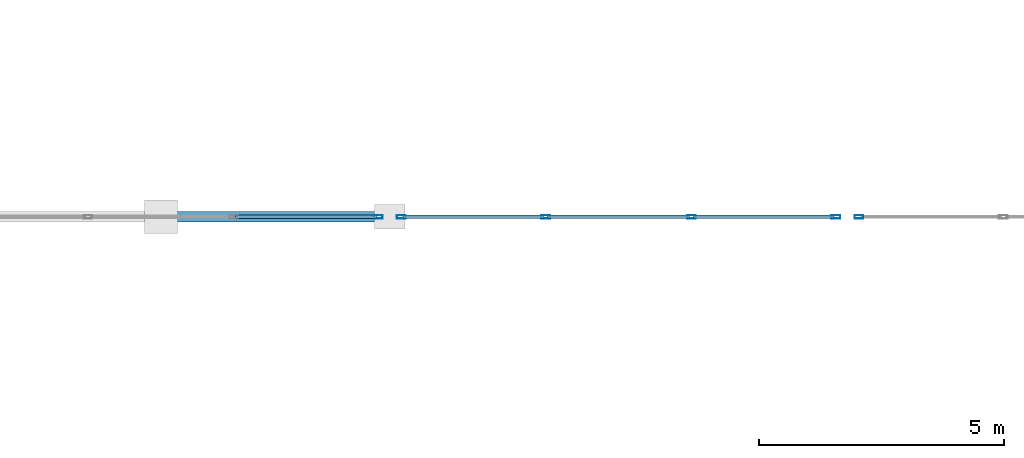
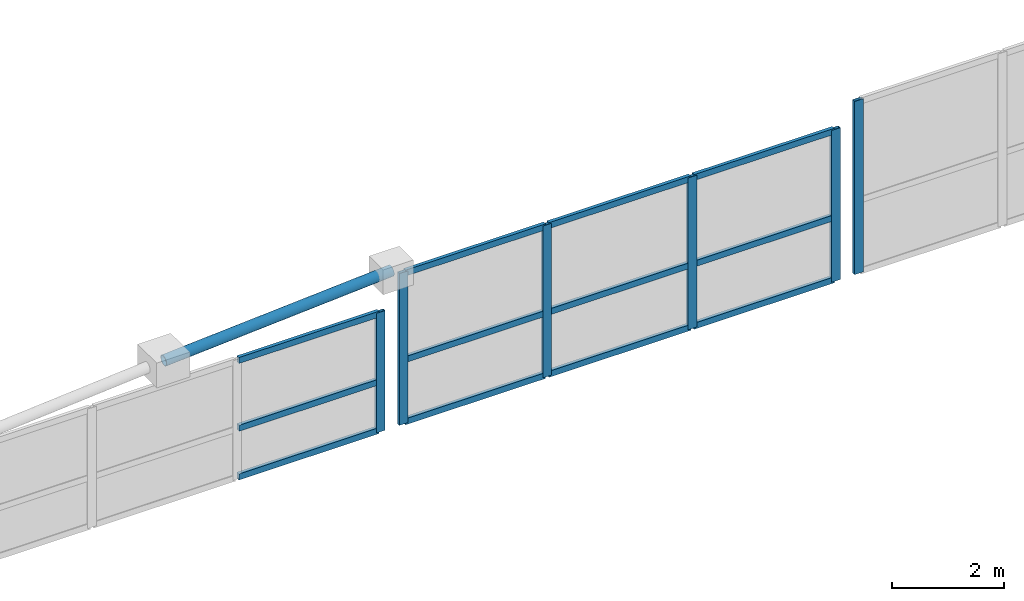
# One storey, part 28 of 60: 19 members, 3 elements without a shape of their own.
"""IFC4 building model written with IfcOpenShell, lengths in metres."""

from ifc_helpers import new_model, si_unit, direction, frame, origin, origin_2d, place, context, subcontext, project, spatial, hollow_rectangle, hollow_circle, extrude, material, layer, layer_set, material_profile, profile_set, type_object, element, aggregate, save


model = new_model("IFC4")

# Units and contexts
model_context = context("Model", 3, precision=1e-05, world=origin(), true_north=direction((0.0, 1.0)))
body_context = subcontext(model_context, "Body", "Model", "MODEL_VIEW")
ifc_project = project(units=[si_unit("LENGTHUNIT", "METRE"), si_unit("AREAUNIT", "SQUARE_METRE"), si_unit("VOLUMEUNIT", "CUBIC_METRE"), si_unit("PLANEANGLEUNIT", "RADIAN"), si_unit("MASSUNIT", "GRAM", prefix="KILO")], contexts=[model_context])

# Site, building, storey
site_placement = place(None, origin())
site = spatial("IfcSite", under=ifc_project, at=site_placement, CompositionType="ELEMENT")
building_placement = place(site_placement, origin())
building = spatial("IfcBuilding", under=site, at=building_placement, Name="Quillay Park Conservatory", CompositionType="ELEMENT")
storey_placement = place(building_placement, frame((0.0, 0.0, 9.89990234375)))
storey = spatial("IfcBuildingStorey", under=building, at=storey_placement, Name="L02", CompositionType="ELEMENT", Elevation=9.89990234375)

# Curtain wall, member
ifc_material_1 = material(Name="Thermally Broken Anodised Aluminium 6063-T6", Category="aluminium")
ifc_layer = layer(ifc_material_1, 0.219970703125)
ifc_layer_set = layer_set([ifc_layer], Name="UNITISED CURTAIN WALL CONSERVATORY (Thermally Broken Anodised Aluminium 6063-T6)")
curtain_wall_type = type_object("IfcCurtainWallType", Name="UNITISED CURTAIN WALL CONSERVATORY", PredefinedType="USERDEFINED", material=ifc_layer_set)
curtain_wall_1_placement = place(storey_placement, origin())
curtain_wall_1 = element("IfcCurtainWall", 1, at=curtain_wall_1_placement, inside=storey, type_object=curtain_wall_type, Name="L02 Unitised Curtain Wall 188", ObjectType="UNITISED CURTAIN WALL", PredefinedType="USERDEFINED")
ifc_material_2 = material(Name="Thermally Broken Anodised Aluminium 6063-T6", Category="aluminium")
ifc_material_profile_1 = material_profile(ifc_material_2, hollow_rectangle(XDim=0.070068359375, YDim=0.179931640625, WallThickness=0.00390625, at=origin_2d()), Name="AL70x180x4")
ifc_profile_set_1 = profile_set([ifc_material_profile_1], Name="Thermally Broken Anodised Aluminium 6063-T6")
member_type_1 = type_object("IfcMemberType", Name="CURTAIN WALL MULLION 70 X180", PredefinedType="MULLION", material=ifc_profile_set_1)
member_1_placement = place(storey_placement, frame((49.1240234375, 85.550048828125, 0.7001953125), z_axis=(0.0, 0.0, 1.0), x_axis=(0.0, -1.0, 0.0)))
member_1 = element("IfcMember", 2, at=member_1_placement, type_object=member_type_1, Name="CW-C1 mullion 1", PredefinedType="MULLION", context=body_context, shape_type="SweptSolid", body=[
    extrude(hollow_rectangle(XDim=0.070068359375, YDim=0.179931640625, WallThickness=0.00390625, at=origin_2d()), origin(), (0.0, 0.0, 1.0), 2.599365234375),
])

# Curtain wall, members
curtain_wall_2_placement = place(storey_placement, origin())
curtain_wall_2 = element("IfcCurtainWall", 3, at=curtain_wall_2_placement, inside=storey, type_object=curtain_wall_type, Name="L02 Unitised Curtain Wall 189", ObjectType="UNITISED CURTAIN WALL", PredefinedType="USERDEFINED")
member_2_placement = place(storey_placement, frame((58.479736328125, 85.550048828125, 0.7001953125), z_axis=(0.0, 0.0, 1.0), x_axis=(0.0, -1.0, 0.0)))
member_2 = element("IfcMember", 4, at=member_2_placement, type_object=member_type_1, Name="CW-C1 mullion 1", PredefinedType="MULLION", context=body_context, shape_type="SweptSolid", body=[
    extrude(hollow_rectangle(XDim=0.070068359375, YDim=0.179931640625, WallThickness=0.00390625, at=origin_2d()), origin(), (0.0, 0.0, 1.0), 3.298583984375),
])
member_3_placement = place(storey_placement, frame((55.53076171875, 85.550048828125, 0.7001953125), z_axis=(0.0, 0.0, 1.0), x_axis=(0.0, -1.0, 0.0)))
member_3 = element("IfcMember", 5, at=member_3_placement, type_object=member_type_1, Name="CW-C1 mullion 2", PredefinedType="MULLION", context=body_context, shape_type="SweptSolid", body=[
    extrude(hollow_rectangle(XDim=0.070068359375, YDim=0.179931640625, WallThickness=0.00390625, at=origin_2d()), origin(), (0.0, 0.0, 1.0), 3.298583984375),
])
member_4_placement = place(storey_placement, frame((52.546875, 85.550048828125, 0.7001953125), z_axis=(0.0, 0.0, 1.0), x_axis=(0.0, -1.0, 0.0)))
member_4 = element("IfcMember", 6, at=member_4_placement, type_object=member_type_1, Name="CW-C1 mullion 3", PredefinedType="MULLION", context=body_context, shape_type="SweptSolid", body=[
    extrude(hollow_rectangle(XDim=0.070068359375, YDim=0.179931640625, WallThickness=0.00390625, at=origin_2d()), origin(), (0.0, 0.0, 1.0), 3.298583984375),
])
member_5_placement = place(storey_placement, frame((49.59814453125, 85.550048828125, 0.7001953125), z_axis=(0.0, 0.0, 1.0), x_axis=(0.0, -1.0, 0.0)))
member_5 = element("IfcMember", 7, at=member_5_placement, type_object=member_type_1, Name="CW-C1 mullion 4", PredefinedType="MULLION", context=body_context, shape_type="SweptSolid", body=[
    extrude(hollow_rectangle(XDim=0.070068359375, YDim=0.179931640625, WallThickness=0.00390625, at=origin_2d()), origin(), (0.0, 0.0, 1.0), 3.298583984375),
])

# Curtain wall, member
curtain_wall_3_placement = place(storey_placement, origin())
curtain_wall_3 = element("IfcCurtainWall", 8, at=curtain_wall_3_placement, inside=storey, type_object=curtain_wall_type, Name="L02 Unitised Curtain Wall 190", ObjectType="UNITISED CURTAIN WALL", PredefinedType="USERDEFINED")
member_6_placement = place(storey_placement, frame((58.95361328125, 85.550048828125, 0.7001953125), z_axis=(0.0, 0.0, 1.0), x_axis=(0.0, -1.0, 0.0)))
member_6 = element("IfcMember", 9, at=member_6_placement, type_object=member_type_1, Name="CW-C1 mullion 4", PredefinedType="MULLION", context=body_context, shape_type="SweptSolid", body=[
    extrude(hollow_rectangle(XDim=0.070068359375, YDim=0.179931640625, WallThickness=0.00390625, at=origin_2d()), origin(), (0.0, 0.0, 1.0), 3.763427734375),
])
aggregate(curtain_wall_3, [member_6])

# Member
ifc_material_3 = material(Name="Thermally Broken Anodised Aluminium 6063-T6", Category="aluminium")
ifc_material_profile_2 = material_profile(ifc_material_3, hollow_rectangle(XDim=0.070068359375, YDim=0.1298828125, WallThickness=0.003173828125, at=origin_2d()), Name="AL70x130x3.2")
ifc_profile_set_2 = profile_set([ifc_material_profile_2], Name="Thermally Broken Anodised Aluminium 6063-T6")
member_type_2 = type_object("IfcMemberType", Name="CURTAIN WALL TRANSOM 70 X130", PredefinedType="USERDEFINED", material=ifc_profile_set_2)
member_7_placement = place(storey_placement, frame((49.089111328125, 85.550048828125, 0.735107421875), z_axis=(-1.0, 0.0, 0.0), x_axis=(0.0, -1.0, 0.0)))
member_7 = element("IfcMember", 10, at=member_7_placement, type_object=member_type_2, Name="CW-C1 transom 1.1", ObjectType="TRANSOM", PredefinedType="USERDEFINED", context=body_context, shape_type="SweptSolid", body=[
    extrude(hollow_rectangle(XDim=0.070068359375, YDim=0.1298828125, WallThickness=0.003173828125, at=origin_2d()), origin(), (0.0, 0.0, 1.0), 2.87890625),
])

member_8_placement = place(storey_placement, frame((49.089111328125, 85.550048828125, 1.7919921875), z_axis=(-1.0, 0.0, 0.0), x_axis=(0.0, -1.0, 0.0)))
member_8 = element("IfcMember", 11, at=member_8_placement, type_object=member_type_2, Name="CW-C1 transom 1.2", ObjectType="TRANSOM", PredefinedType="USERDEFINED", context=body_context, shape_type="SweptSolid", body=[
    extrude(hollow_rectangle(XDim=0.070068359375, YDim=0.1298828125, WallThickness=0.003173828125, at=origin_2d()), origin(), (0.0, 0.0, 1.0), 2.87890625),
])

member_9_placement = place(storey_placement, frame((49.089111328125, 85.550048828125, 3.2646484375), z_axis=(-1.0, 0.0, 0.0), x_axis=(0.0, -1.0, 0.0)))
member_9 = element("IfcMember", 12, at=member_9_placement, type_object=member_type_2, Name="CW-C1 transom 1.3", ObjectType="TRANSOM", PredefinedType="USERDEFINED", context=body_context, shape_type="SweptSolid", body=[
    extrude(hollow_rectangle(XDim=0.070068359375, YDim=0.1298828125, WallThickness=0.003173828125, at=origin_2d()), origin(), (0.0, 0.0, 1.0), 2.87890625),
])

aggregate(curtain_wall_1, [member_1, member_7, member_8, member_9])

member_10_placement = place(storey_placement, frame((58.444580078125, 85.550048828125, 0.735107421875), z_axis=(-1.0, 0.0, 0.0), x_axis=(0.0, -1.0, 0.0)))
member_10 = element("IfcMember", 13, at=member_10_placement, type_object=member_type_2, Name="CW-C1 transom 1.1", ObjectType="TRANSOM", PredefinedType="USERDEFINED", context=body_context, shape_type="SweptSolid", body=[
    extrude(hollow_rectangle(XDim=0.070068359375, YDim=0.1298828125, WallThickness=0.003173828125, at=origin_2d()), origin(), (0.0, 0.0, 1.0), 2.878662109375),
])

member_11_placement = place(storey_placement, frame((58.444580078125, 85.550048828125, 2.085693359375), z_axis=(-1.0, 0.0, 0.0), x_axis=(0.0, -1.0, 0.0)))
member_11 = element("IfcMember", 14, at=member_11_placement, type_object=member_type_2, Name="CW-C1 transom 1.2", ObjectType="TRANSOM", PredefinedType="USERDEFINED", context=body_context, shape_type="SweptSolid", body=[
    extrude(hollow_rectangle(XDim=0.070068359375, YDim=0.1298828125, WallThickness=0.003173828125, at=origin_2d()), origin(), (0.0, 0.0, 1.0), 2.878662109375),
])

member_12_placement = place(storey_placement, frame((58.444580078125, 85.550048828125, 3.9638671875), z_axis=(-1.0, 0.0, 0.0), x_axis=(0.0, -1.0, 0.0)))
member_12 = element("IfcMember", 15, at=member_12_placement, type_object=member_type_2, Name="CW-C1 transom 1.3", ObjectType="TRANSOM", PredefinedType="USERDEFINED", context=body_context, shape_type="SweptSolid", body=[
    extrude(hollow_rectangle(XDim=0.070068359375, YDim=0.1298828125, WallThickness=0.003173828125, at=origin_2d()), origin(), (0.0, 0.0, 1.0), 2.878662109375),
])

member_13_placement = place(storey_placement, frame((55.495849609375, 85.550048828125, 0.735107421875), z_axis=(-1.0, 0.0, 0.0), x_axis=(0.0, -1.0, 0.0)))
member_13 = element("IfcMember", 16, at=member_13_placement, type_object=member_type_2, Name="CW-C1 transom 2.1", ObjectType="TRANSOM", PredefinedType="USERDEFINED", context=body_context, shape_type="SweptSolid", body=[
    extrude(hollow_rectangle(XDim=0.070068359375, YDim=0.1298828125, WallThickness=0.003173828125, at=origin_2d()), origin(), (0.0, 0.0, 1.0), 2.913818359375),
])

member_14_placement = place(storey_placement, frame((55.495849609375, 85.550048828125, 2.085693359375), z_axis=(-1.0, 0.0, 0.0), x_axis=(0.0, -1.0, 0.0)))
member_14 = element("IfcMember", 17, at=member_14_placement, type_object=member_type_2, Name="CW-C1 transom 2.2", ObjectType="TRANSOM", PredefinedType="USERDEFINED", context=body_context, shape_type="SweptSolid", body=[
    extrude(hollow_rectangle(XDim=0.070068359375, YDim=0.1298828125, WallThickness=0.003173828125, at=origin_2d()), origin(), (0.0, 0.0, 1.0), 2.913818359375),
])

member_15_placement = place(storey_placement, frame((55.495849609375, 85.550048828125, 3.9638671875), z_axis=(-1.0, 0.0, 0.0), x_axis=(0.0, -1.0, 0.0)))
member_15 = element("IfcMember", 18, at=member_15_placement, type_object=member_type_2, Name="CW-C1 transom 2.3", ObjectType="TRANSOM", PredefinedType="USERDEFINED", context=body_context, shape_type="SweptSolid", body=[
    extrude(hollow_rectangle(XDim=0.070068359375, YDim=0.1298828125, WallThickness=0.003173828125, at=origin_2d()), origin(), (0.0, 0.0, 1.0), 2.913818359375),
])

member_16_placement = place(storey_placement, frame((52.511962890625, 85.550048828125, 0.735107421875), z_axis=(-1.0, 0.0, 0.0), x_axis=(0.0, -1.0, 0.0)))
member_16 = element("IfcMember", 19, at=member_16_placement, type_object=member_type_2, Name="CW-C1 transom 3.1", ObjectType="TRANSOM", PredefinedType="USERDEFINED", context=body_context, shape_type="SweptSolid", body=[
    extrude(hollow_rectangle(XDim=0.070068359375, YDim=0.1298828125, WallThickness=0.003173828125, at=origin_2d()), origin(), (0.0, 0.0, 1.0), 2.87890625),
])

member_17_placement = place(storey_placement, frame((52.511962890625, 85.550048828125, 2.085693359375), z_axis=(-1.0, 0.0, 0.0), x_axis=(0.0, -1.0, 0.0)))
member_17 = element("IfcMember", 20, at=member_17_placement, type_object=member_type_2, Name="CW-C1 transom 3.2", ObjectType="TRANSOM", PredefinedType="USERDEFINED", context=body_context, shape_type="SweptSolid", body=[
    extrude(hollow_rectangle(XDim=0.070068359375, YDim=0.1298828125, WallThickness=0.003173828125, at=origin_2d()), origin(), (0.0, 0.0, 1.0), 2.87890625),
])

member_18_placement = place(storey_placement, frame((52.511962890625, 85.550048828125, 3.9638671875), z_axis=(-1.0, 0.0, 0.0), x_axis=(0.0, -1.0, 0.0)))
member_18 = element("IfcMember", 21, at=member_18_placement, type_object=member_type_2, Name="CW-C1 transom 3.3", ObjectType="TRANSOM", PredefinedType="USERDEFINED", context=body_context, shape_type="SweptSolid", body=[
    extrude(hollow_rectangle(XDim=0.070068359375, YDim=0.1298828125, WallThickness=0.003173828125, at=origin_2d()), origin(), (0.0, 0.0, 1.0), 2.87890625),
])

aggregate(curtain_wall_2, [member_2, member_3, member_4, member_5, member_10, member_11, member_12, member_13, member_14, member_15, member_16, member_17, member_18])

ifc_material_4 = material(Name="Steel S355J2H", Category="steel")
ifc_material_profile_3 = material_profile(ifc_material_4, hollow_circle(Radius=0.109619140625, WallThickness=0.010009765625, at=origin_2d()), Name="CHS219.1x10")
ifc_profile_set_3 = profile_set([ifc_material_profile_3], Name="Steel S355J2H")
member_type_3 = type_object("IfcMemberType", Name="GRIDSHELL ARCH RIB CHS219", PredefinedType="USERDEFINED", material=ifc_profile_set_3)
member_19_placement = place(storey_placement, frame((44.683349609375, 85.550048828125, 3.778564453125), z_axis=(0.997663732084, 0.0, 0.068316013387), x_axis=(0.0, 1.0, 0.0)))
element("IfcMember", 22, at=member_19_placement, inside=storey, type_object=member_type_3, Name="Gridshell member GS-RIB-03-00", ObjectType="GRIDSHELL ARCH RIB", PredefinedType="USERDEFINED", context=body_context, shape_type="SweptSolid", body=[
    extrude(hollow_circle(Radius=0.109619140625, WallThickness=0.010009765625, at=origin_2d()), origin(), (0.0, 0.0, 1.0), 4.688720703125),
])

save(model, "model.ifc")
